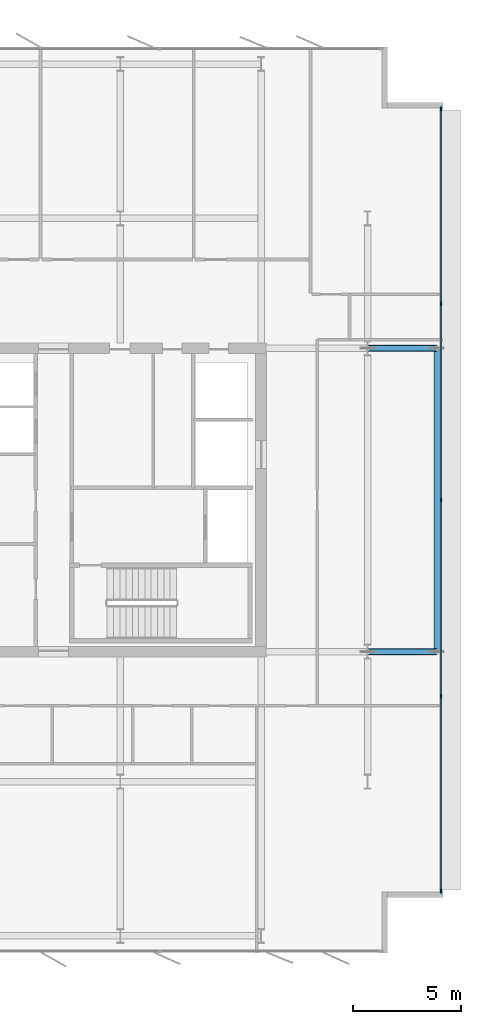
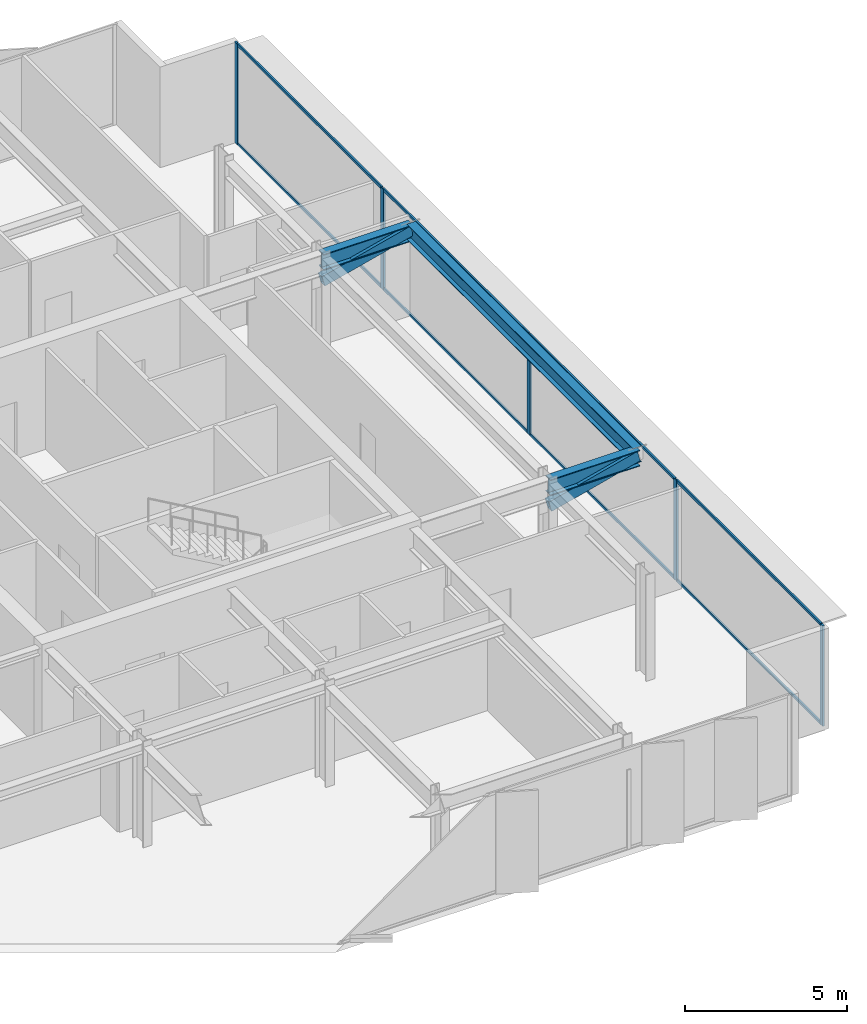
# One storey, part 10 of 20: 15 members, 3 beams, 1 element without a shape of its own.
"""IFC4 building model written with IfcOpenShell, lengths in metres."""

from ifc_helpers import new_model, si_unit, direction, frame, origin, origin_2d, place, context, subcontext, project, spatial, rectangle, hollow_rectangle, i_section, extrude, material, layer, layer_set, material_profile, profile_set, type_object, element, aggregate, save


model = new_model("IFC4")

# Units and contexts
model_context = context("Model", 3, precision=1e-05, world=origin(), true_north=direction((0.0, 1.0)))
body_context = subcontext(model_context, "Body", "Model", "MODEL_VIEW")
ifc_project = project(units=[si_unit("LENGTHUNIT", "METRE"), si_unit("AREAUNIT", "SQUARE_METRE"), si_unit("VOLUMEUNIT", "CUBIC_METRE"), si_unit("PLANEANGLEUNIT", "RADIAN"), si_unit("MASSUNIT", "GRAM", prefix="KILO")], contexts=[model_context])

# Site, building, storey
site_placement = place(None, origin())
site = spatial("IfcSite", under=ifc_project, at=site_placement, CompositionType="ELEMENT")
building_placement = place(site_placement, origin())
building = spatial("IfcBuilding", under=site, at=building_placement, Name="Putna Gate Headquarters", CompositionType="ELEMENT")
storey_placement = place(building_placement, frame((0.0, 0.0, 290.39990234375)))
storey = spatial("IfcBuildingStorey", under=building, at=storey_placement, Name="L73", CompositionType="ELEMENT", Elevation=290.39990234375)

# Beams
ifc_material_1 = material(Name="Steel S355J2", Category="steel")
ifc_material_profile_1 = material_profile(ifc_material_1, i_section(OverallWidth=0.300048828125, OverallDepth=0.60009765625, WebThickness=0.015380859375, FlangeThickness=0.030029296875, at=origin_2d()), Name="Steel S355J2")
ifc_profile_set_1 = profile_set([ifc_material_profile_1], Name="Steel S355J2")
beam_type_1 = type_object("IfcBeamType", Name="BM-GIRD-SAIL-HEB600", PredefinedType="USERDEFINED", material=ifc_profile_set_1)
for number, where, z_axis, x_axis, name in (
    (1, (69.926025390625, 19.0, 3.488037109375), (1.0, 0.0, 0.0), (0.0, 1.0, 0.0), "L73 East Sail Outrigger Bracket Y19"),
    (2, (69.926025390625, 33.0, 3.488037109375), (1.0, 0.0, 0.0), (0.0, 1.0, 0.0), "L73 East Sail Outrigger Bracket Y33"),
):
    element("IfcBeam", number, at=place(storey_placement, frame(where, z_axis=z_axis, x_axis=x_axis)), inside=storey, type_object=beam_type_1, Name=name, ObjectType="GIRDER", PredefinedType="USERDEFINED", context=body_context, shape_type="SweptSolid", body=[
        extrude(i_section(OverallWidth=0.300048828125, OverallDepth=0.60009765625, WebThickness=0.015380859375, FlangeThickness=0.030029296875, at=origin_2d()), origin(), (0.0, 0.0, 1.0), 3.194091796875),
    ])
ifc_material_profile_2 = material_profile(ifc_material_1, i_section(OverallWidth=0.300048828125, OverallDepth=0.590087890625, WebThickness=0.012939453125, FlangeThickness=0.02490234375, at=origin_2d()), Name="Steel S355J2")
ifc_profile_set_2 = profile_set([ifc_material_profile_2], Name="Steel S355J2")
beam_type_2 = type_object("IfcBeamType", Name="BM-SPAN-Z4-HEA600", PredefinedType="SPANDREL", material=ifc_profile_set_2)
beam_placement = place(storey_placement, frame((73.1201171875, 19.02001953125, 3.4931640625), z_axis=(0.0, 1.0, 0.0), x_axis=(-1.0, 0.0, 0.0)))
element("IfcBeam", 3, at=beam_placement, inside=storey, type_object=beam_type_2, Name="L73 East Sail Edge Spandrel", PredefinedType="SPANDREL", context=body_context, shape_type="SweptSolid", body=[
    extrude(i_section(OverallWidth=0.300048828125, OverallDepth=0.590087890625, WebThickness=0.012939453125, FlangeThickness=0.02490234375, at=origin_2d()), origin(), (0.0, 0.0, 1.0), 13.9599609375),
])

# Members
ifc_material_2 = material(Name="Steel S460M", Category="steel")
ifc_material_profile_3 = material_profile(ifc_material_2, hollow_rectangle(XDim=0.25, YDim=0.39990234375, WallThickness=0.01611328125, at=origin_2d()), Name="Steel S460M")
ifc_profile_set_3 = profile_set([ifc_material_profile_3], Name="Steel S460M")
member_type_1 = type_object("IfcMemberType", Name="MEM-SAIL-BRACE-RHS400", PredefinedType="BRACE", material=ifc_profile_set_3)
for number, where, z_axis, x_axis, name in (
    (4, (69.934326171875, 19.0, 2.755126953125), (0.96875163726, 0.0, 0.24803279079), (0.0, 1.0, 0.0), "L73 East Sail Cantilever Raker Y19"),
    (5, (69.934326171875, 33.0, 2.755126953125), (0.96875163726, 0.0, 0.24803279079), (0.0, 1.0, 0.0), "L73 East Sail Cantilever Raker Y33"),
):
    element("IfcMember", number, at=place(storey_placement, frame(where, z_axis=z_axis, x_axis=x_axis)), inside=storey, type_object=member_type_1, Name=name, PredefinedType="BRACE", context=body_context, shape_type="SweptSolid", body=[
        extrude(hollow_rectangle(XDim=0.25, YDim=0.39990234375, WallThickness=0.01611328125, at=origin_2d()), origin(), (0.0, 0.0, 1.0), 3.258056640625),
    ])

# Curtain wall, members
ifc_material_3 = material(Name="Anodised bronze aluminium curtain wall", Category="aluminium")
ifc_layer = layer(ifc_material_3, 0.179931640625)
ifc_layer_set = layer_set([ifc_layer], Name="Anodised bronze aluminium curtain wall")
curtain_wall_type = type_object("IfcCurtainWallType", Name="CW-SYS-Z5", PredefinedType="USERDEFINED", material=ifc_layer_set)
curtain_wall_placement = place(storey_placement, origin())
curtain_wall = element("IfcCurtainWall", 6, at=curtain_wall_placement, inside=storey, type_object=curtain_wall_type, Name="L73 East Curtain Wall", ObjectType="STICK CURTAIN WALL", PredefinedType="USERDEFINED")
ifc_material_4 = material(Name="Anodised bronze aluminium EN AW-6060", Category="aluminium")
ifc_material_profile_4 = material_profile(ifc_material_4, rectangle(XDim=0.070068359375, YDim=0.179931640625, at=origin_2d()), Name="Anodised bronze aluminium EN AW-6060")
ifc_profile_set_4 = profile_set([ifc_material_profile_4], Name="Anodised bronze aluminium EN AW-6060")
member_type_2 = type_object("IfcMemberType", Name="MULL-CWM-5", PredefinedType="MULLION", material=ifc_profile_set_4)
member_1_placement = place(storey_placement, frame((73.307373046875, 7.93505859375, 0.0), z_axis=(0.0, 0.0, 1.0), x_axis=(-1.0, 0.0, 0.0)))
member_1 = element("IfcMember", 7, at=member_1_placement, type_object=member_type_2, Name="CWS-5 mullion 1", PredefinedType="MULLION", context=body_context, shape_type="SweptSolid", body=[
    extrude(rectangle(XDim=0.070068359375, YDim=0.179931640625, at=origin_2d()), origin(), (0.0, 0.0, 1.0), 3.7880859375),
])
member_2_placement = place(storey_placement, frame((73.307373046875, 16.949951171875, 0.0), z_axis=(0.0, 0.0, 1.0), x_axis=(-1.0, 0.0, 0.0)))
member_2 = element("IfcMember", 8, at=member_2_placement, type_object=member_type_2, Name="CWS-5 mullion 2", PredefinedType="MULLION", context=body_context, shape_type="SweptSolid", body=[
    extrude(rectangle(XDim=0.070068359375, YDim=0.179931640625, at=origin_2d()), origin(), (0.0, 0.0, 1.0), 3.7880859375),
])
member_3_placement = place(storey_placement, frame((73.307373046875, 26.0, 0.0), z_axis=(0.0, 0.0, 1.0), x_axis=(-1.0, 0.0, 0.0)))
member_3 = element("IfcMember", 9, at=member_3_placement, type_object=member_type_2, Name="CWS-5 mullion 3", PredefinedType="MULLION", context=body_context, shape_type="SweptSolid", body=[
    extrude(rectangle(XDim=0.070068359375, YDim=0.179931640625, at=origin_2d()), origin(), (0.0, 0.0, 1.0), 3.7880859375),
])
member_4_placement = place(storey_placement, frame((73.307373046875, 35.050048828125, 0.0), z_axis=(0.0, 0.0, 1.0), x_axis=(-1.0, 0.0, 0.0)))
member_4 = element("IfcMember", 10, at=member_4_placement, type_object=member_type_2, Name="CWS-5 mullion 4", PredefinedType="MULLION", context=body_context, shape_type="SweptSolid", body=[
    extrude(rectangle(XDim=0.070068359375, YDim=0.179931640625, at=origin_2d()), origin(), (0.0, 0.0, 1.0), 3.7880859375),
])
member_5_placement = place(storey_placement, frame((73.307373046875, 44.06494140625, 0.0), z_axis=(0.0, 0.0, 1.0), x_axis=(-1.0, 0.0, 0.0)))
member_5 = element("IfcMember", 11, at=member_5_placement, type_object=member_type_2, Name="CWS-5 mullion 5", PredefinedType="MULLION", context=body_context, shape_type="SweptSolid", body=[
    extrude(rectangle(XDim=0.070068359375, YDim=0.179931640625, at=origin_2d()), origin(), (0.0, 0.0, 1.0), 3.7880859375),
])
ifc_material_profile_5 = material_profile(ifc_material_4, rectangle(XDim=0.06005859375, YDim=0.10009765625, at=origin_2d()), Name="Anodised bronze aluminium EN AW-6060")
ifc_profile_set_5 = profile_set([ifc_material_profile_5], Name="Anodised bronze aluminium EN AW-6060")
member_type_3 = type_object("IfcMemberType", Name="TRAN-CWT-5", PredefinedType="USERDEFINED", material=ifc_profile_set_5)
member_6_placement = place(storey_placement, frame((73.307373046875, 7.969970703125, 0.030029296875), z_axis=(0.0, 1.0, 0.0), x_axis=(-1.0, 0.0, 0.0)))
member_6 = element("IfcMember", 12, at=member_6_placement, type_object=member_type_3, Name="CWS-5 transom 1.1", ObjectType="TRANSOM", PredefinedType="USERDEFINED", context=body_context, shape_type="SweptSolid", body=[
    extrude(rectangle(XDim=0.06005859375, YDim=0.10009765625, at=origin_2d()), origin(), (0.0, 0.0, 1.0), 8.945068359375),
])
member_7_placement = place(storey_placement, frame((73.307373046875, 7.969970703125, 3.758056640625), z_axis=(0.0, 1.0, 0.0), x_axis=(-1.0, 0.0, 0.0)))
member_7 = element("IfcMember", 13, at=member_7_placement, type_object=member_type_3, Name="CWS-5 transom 1.2", ObjectType="TRANSOM", PredefinedType="USERDEFINED", context=body_context, shape_type="SweptSolid", body=[
    extrude(rectangle(XDim=0.06005859375, YDim=0.10009765625, at=origin_2d()), origin(), (0.0, 0.0, 1.0), 8.945068359375),
])
member_8_placement = place(storey_placement, frame((73.307373046875, 16.985107421875, 0.030029296875), z_axis=(0.0, 1.0, 0.0), x_axis=(-1.0, 0.0, 0.0)))
member_8 = element("IfcMember", 14, at=member_8_placement, type_object=member_type_3, Name="CWS-5 transom 2.1", ObjectType="TRANSOM", PredefinedType="USERDEFINED", context=body_context, shape_type="SweptSolid", body=[
    extrude(rectangle(XDim=0.06005859375, YDim=0.10009765625, at=origin_2d()), origin(), (0.0, 0.0, 1.0), 8.97998046875),
])
member_9_placement = place(storey_placement, frame((73.307373046875, 16.985107421875, 3.758056640625), z_axis=(0.0, 1.0, 0.0), x_axis=(-1.0, 0.0, 0.0)))
member_9 = element("IfcMember", 15, at=member_9_placement, type_object=member_type_3, Name="CWS-5 transom 2.2", ObjectType="TRANSOM", PredefinedType="USERDEFINED", context=body_context, shape_type="SweptSolid", body=[
    extrude(rectangle(XDim=0.06005859375, YDim=0.10009765625, at=origin_2d()), origin(), (0.0, 0.0, 1.0), 8.97998046875),
])
member_10_placement = place(storey_placement, frame((73.307373046875, 26.034912109375, 0.030029296875), z_axis=(0.0, 1.0, 0.0), x_axis=(-1.0, 0.0, 0.0)))
member_10 = element("IfcMember", 16, at=member_10_placement, type_object=member_type_3, Name="CWS-5 transom 3.1", ObjectType="TRANSOM", PredefinedType="USERDEFINED", context=body_context, shape_type="SweptSolid", body=[
    extrude(rectangle(XDim=0.06005859375, YDim=0.10009765625, at=origin_2d()), origin(), (0.0, 0.0, 1.0), 8.97998046875),
])
member_11_placement = place(storey_placement, frame((73.307373046875, 26.034912109375, 3.758056640625), z_axis=(0.0, 1.0, 0.0), x_axis=(-1.0, 0.0, 0.0)))
member_11 = element("IfcMember", 17, at=member_11_placement, type_object=member_type_3, Name="CWS-5 transom 3.2", ObjectType="TRANSOM", PredefinedType="USERDEFINED", context=body_context, shape_type="SweptSolid", body=[
    extrude(rectangle(XDim=0.06005859375, YDim=0.10009765625, at=origin_2d()), origin(), (0.0, 0.0, 1.0), 8.97998046875),
])
member_12_placement = place(storey_placement, frame((73.307373046875, 35.0849609375, 0.030029296875), z_axis=(0.0, 1.0, 0.0), x_axis=(-1.0, 0.0, 0.0)))
member_12 = element("IfcMember", 18, at=member_12_placement, type_object=member_type_3, Name="CWS-5 transom 4.1", ObjectType="TRANSOM", PredefinedType="USERDEFINED", context=body_context, shape_type="SweptSolid", body=[
    extrude(rectangle(XDim=0.06005859375, YDim=0.10009765625, at=origin_2d()), origin(), (0.0, 0.0, 1.0), 8.945068359375),
])
member_13_placement = place(storey_placement, frame((73.307373046875, 35.0849609375, 3.758056640625), z_axis=(0.0, 1.0, 0.0), x_axis=(-1.0, 0.0, 0.0)))
member_13 = element("IfcMember", 19, at=member_13_placement, type_object=member_type_3, Name="CWS-5 transom 4.2", ObjectType="TRANSOM", PredefinedType="USERDEFINED", context=body_context, shape_type="SweptSolid", body=[
    extrude(rectangle(XDim=0.06005859375, YDim=0.10009765625, at=origin_2d()), origin(), (0.0, 0.0, 1.0), 8.945068359375),
])
aggregate(curtain_wall, [member_1, member_2, member_3, member_4, member_5, member_6, member_7, member_8, member_9, member_10, member_11, member_12, member_13])

save(model, "model.ifc")
